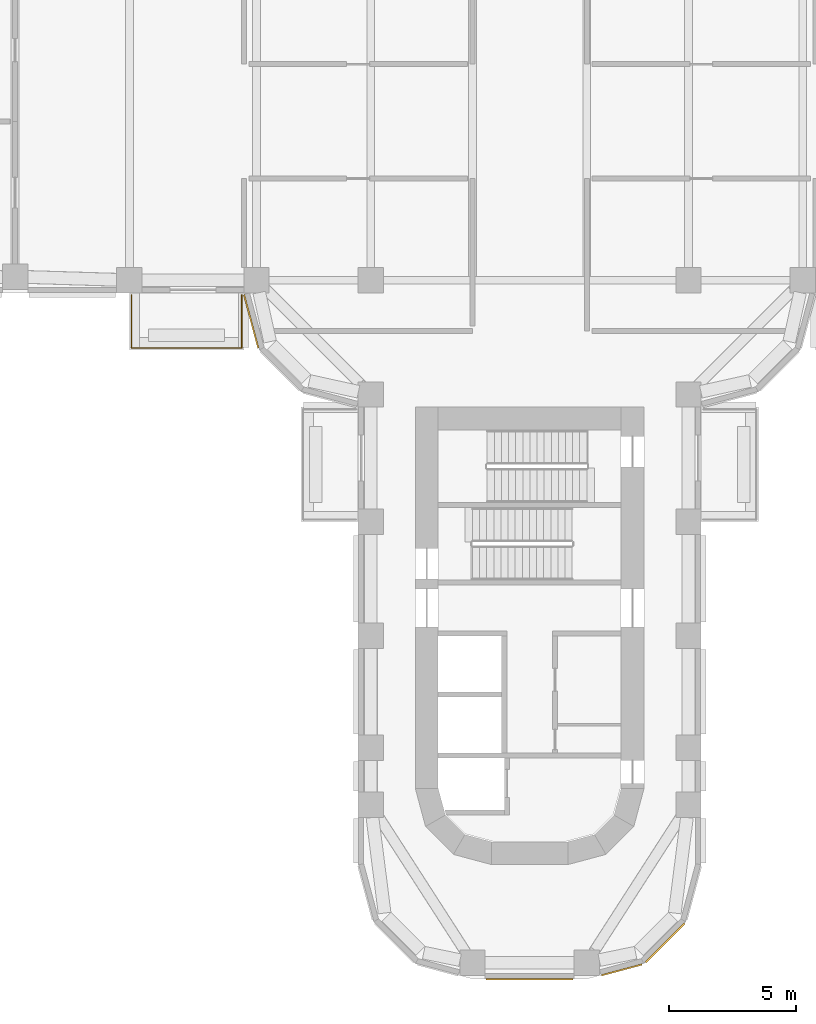
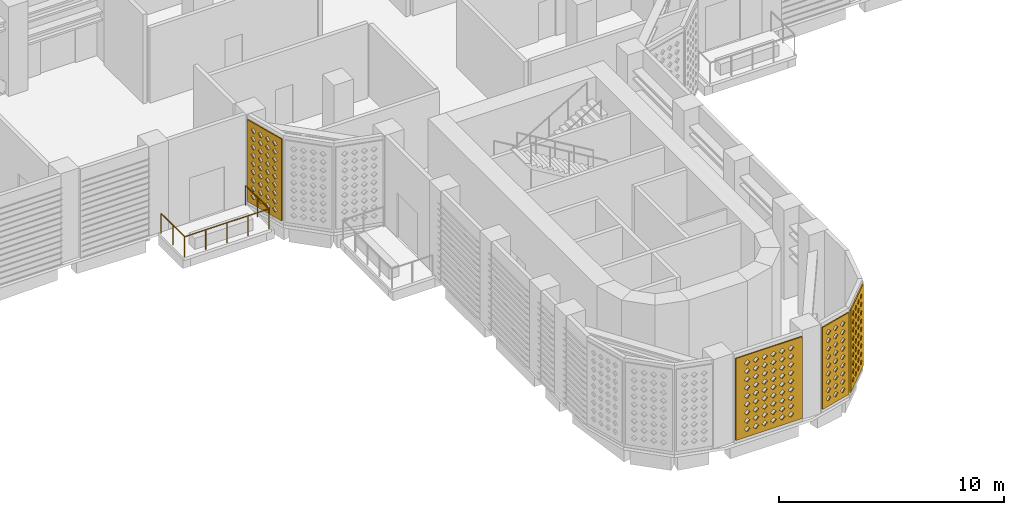
# One storey, part 11 of 20: 4 coverings, 1 railing.
"""IFC4 building model written with IfcOpenShell, lengths in metres."""

from ifc_helpers import new_model, si_unit, direction, frame, origin, origin_2d, place, context, subcontext, project, spatial, polyline, circle, outline, extrude, source, transform, mapped, material, layer, layer_set, type_object, element, save


model = new_model("IFC4")

# Units and contexts
model_context = context("Model", 3, precision=1e-05, world=origin(), true_north=direction((0.0, 1.0)))
body_context = subcontext(model_context, "Body", "Model", "MODEL_VIEW")
ifc_project = project(units=[si_unit("LENGTHUNIT", "METRE"), si_unit("AREAUNIT", "SQUARE_METRE"), si_unit("VOLUMEUNIT", "CUBIC_METRE"), si_unit("PLANEANGLEUNIT", "RADIAN"), si_unit("MASSUNIT", "GRAM", prefix="KILO")], contexts=[model_context])

# Site, building, storey
site_placement = place(None, origin())
site = spatial("IfcSite", under=ifc_project, at=site_placement, CompositionType="ELEMENT")
building_placement = place(site_placement, origin())
building = spatial("IfcBuilding", under=site, at=building_placement, Name="Zarbagh Exchange Tower", CompositionType="ELEMENT")
storey_placement = place(building_placement, frame((0.0, 0.0, 81.60009765625)))
storey = spatial("IfcBuildingStorey", under=building, at=storey_placement, Name="L18", CompositionType="ELEMENT", Elevation=81.60009765625)

# Railing
ifc_material_1 = material(Name="Stainless steel and laminated glass", Category="steel")
railing_type = type_object("IfcRailingType", Name="Terrace guard, glass balustrade 1.1 m", PredefinedType="GUARDRAIL", material=ifc_material_1)
railing_placement = place(storey_placement, frame((-11.330078125, -6.830078125, 0.0)))
element("IfcRailing", 1, at=railing_placement, inside=storey, type_object=railing_type, Name="TG01 terrace guard", PredefinedType="GUARDRAIL", context=body_context, shape_type="SweptSolid", body=[
    extrude(circle(Radius=0.02490234375, at=origin_2d()), frame((0.0, 0.0, 1.0751953125), z_axis=(0.0, -1.0, 0.0), x_axis=(1.0, 0.0, 0.0)), (0.0, 0.0, 1.0), 2.08984375),
    extrude(circle(Radius=0.02490234375, at=origin_2d()), frame((0.0, -2.08984375, 1.0751953125), z_axis=(-1.0, 0.0, 0.0), x_axis=(0.0, -1.0, 0.0)), (0.0, 0.0, 1.0), 4.33984375),
    extrude(circle(Radius=0.02490234375, at=origin_2d()), frame((-4.33984375, -2.08984375, 1.0751953125), z_axis=(0.0, 1.0, 0.0), x_axis=(-1.0, 0.0, 0.0)), (0.0, 0.0, 1.0), 2.08984375),
    extrude(circle(Radius=0.02490234375, at=origin_2d()), origin(), (0.0, 0.0, 1.0), 1.050048828125),
    extrude(circle(Radius=0.02490234375, at=origin_2d()), frame((0.0, -1.044921875, 0.0)), (0.0, 0.0, 1.0), 1.050048828125),
    extrude(circle(Radius=0.02490234375, at=origin_2d()), frame((0.0, -2.08984375, 0.0)), (0.0, 0.0, 1.0), 1.050048828125),
    extrude(circle(Radius=0.02490234375, at=origin_2d()), frame((-1.0849609375, -2.08984375, 0.0)), (0.0, 0.0, 1.0), 1.050048828125),
    extrude(circle(Radius=0.02490234375, at=origin_2d()), frame((-2.169921875, -2.08984375, 0.0)), (0.0, 0.0, 1.0), 1.050048828125),
    extrude(circle(Radius=0.02490234375, at=origin_2d()), frame((-3.2548828125, -2.08984375, 0.0)), (0.0, 0.0, 1.0), 1.050048828125),
    extrude(circle(Radius=0.02490234375, at=origin_2d()), frame((-4.33984375, -2.08984375, 0.0)), (0.0, 0.0, 1.0), 1.050048828125),
    extrude(circle(Radius=0.02490234375, at=origin_2d()), frame((-4.33984375, -1.044921875, 0.0)), (0.0, 0.0, 1.0), 1.050048828125),
    extrude(circle(Radius=0.02490234375, at=origin_2d()), frame((-4.33984375, 0.0, 0.0)), (0.0, 0.0, 1.0), 1.050048828125),
])

# Coverings
ifc_material_2 = material(Name="Glass-fibre reinforced concrete GFRC C50/60", Category="concrete")
ifc_layer = layer(ifc_material_2, 0.06005859375)
ifc_layer_set = layer_set([ifc_layer], Name="SCREEN jali panel, GFRC")
covering_type = type_object("IfcCoveringType", Name="SCREEN jali panel, GFRC", PredefinedType="CLADDING", material=ifc_layer_set)
shared_shape_1 = source(origin(), body_context, "Body", "SweptSolid", [
    extrude(outline(polyline([(0.0, 0.0), (1.656005859375, 0.0), (1.656005859375, 4.449951171875), (0.0, 4.449951171875), (0.0, 0.0)]), holes=[polyline([(0.22802734375, 0.425048828125), (0.3779296875, 0.27490234375), (0.528076171875, 0.425048828125), (0.3779296875, 0.574951171875), (0.22802734375, 0.425048828125)]), polyline([(0.22802734375, 0.875), (0.3779296875, 0.72509765625), (0.528076171875, 0.875), (0.3779296875, 1.02490234375), (0.22802734375, 0.875)]), polyline([(0.22802734375, 1.324951171875), (0.3779296875, 1.175048828125), (0.528076171875, 1.324951171875), (0.3779296875, 1.47509765625), (0.22802734375, 1.324951171875)]), polyline([(0.22802734375, 1.77490234375), (0.3779296875, 1.625), (0.528076171875, 1.77490234375), (0.3779296875, 1.925048828125), (0.22802734375, 1.77490234375)]), polyline([(0.22802734375, 2.22509765625), (0.3779296875, 2.074951171875), (0.528076171875, 2.22509765625), (0.3779296875, 2.375), (0.22802734375, 2.22509765625)]), polyline([(0.22802734375, 2.675048828125), (0.3779296875, 2.52490234375), (0.528076171875, 2.675048828125), (0.3779296875, 2.824951171875), (0.22802734375, 2.675048828125)]), polyline([(0.22802734375, 3.125), (0.3779296875, 2.97509765625), (0.528076171875, 3.125), (0.3779296875, 3.27490234375), (0.22802734375, 3.125)]), polyline([(0.22802734375, 3.574951171875), (0.3779296875, 3.425048828125), (0.528076171875, 3.574951171875), (0.3779296875, 3.72509765625), (0.22802734375, 3.574951171875)]), polyline([(0.22802734375, 4.02490234375), (0.3779296875, 3.875), (0.528076171875, 4.02490234375), (0.3779296875, 4.175048828125), (0.22802734375, 4.02490234375)]), polyline([(0.677978515625, 0.425048828125), (0.827880859375, 0.27490234375), (0.97802734375, 0.425048828125), (0.827880859375, 0.574951171875), (0.677978515625, 0.425048828125)]), polyline([(0.677978515625, 0.875), (0.827880859375, 0.72509765625), (0.97802734375, 0.875), (0.827880859375, 1.02490234375), (0.677978515625, 0.875)]), polyline([(0.677978515625, 1.324951171875), (0.827880859375, 1.175048828125), (0.97802734375, 1.324951171875), (0.827880859375, 1.47509765625), (0.677978515625, 1.324951171875)]), polyline([(0.677978515625, 1.77490234375), (0.827880859375, 1.625), (0.97802734375, 1.77490234375), (0.827880859375, 1.925048828125), (0.677978515625, 1.77490234375)]), polyline([(0.677978515625, 2.22509765625), (0.827880859375, 2.074951171875), (0.97802734375, 2.22509765625), (0.827880859375, 2.375), (0.677978515625, 2.22509765625)]), polyline([(0.677978515625, 2.675048828125), (0.827880859375, 2.52490234375), (0.97802734375, 2.675048828125), (0.827880859375, 2.824951171875), (0.677978515625, 2.675048828125)]), polyline([(0.677978515625, 3.125), (0.827880859375, 2.97509765625), (0.97802734375, 3.125), (0.827880859375, 3.27490234375), (0.677978515625, 3.125)]), polyline([(0.677978515625, 3.574951171875), (0.827880859375, 3.425048828125), (0.97802734375, 3.574951171875), (0.827880859375, 3.72509765625), (0.677978515625, 3.574951171875)]), polyline([(0.677978515625, 4.02490234375), (0.827880859375, 3.875), (0.97802734375, 4.02490234375), (0.827880859375, 4.175048828125), (0.677978515625, 4.02490234375)]), polyline([(1.1279296875, 0.425048828125), (1.278076171875, 0.27490234375), (1.427978515625, 0.425048828125), (1.278076171875, 0.574951171875), (1.1279296875, 0.425048828125)]), polyline([(1.1279296875, 0.875), (1.278076171875, 0.72509765625), (1.427978515625, 0.875), (1.278076171875, 1.02490234375), (1.1279296875, 0.875)]), polyline([(1.1279296875, 1.324951171875), (1.278076171875, 1.175048828125), (1.427978515625, 1.324951171875), (1.278076171875, 1.47509765625), (1.1279296875, 1.324951171875)]), polyline([(1.1279296875, 1.77490234375), (1.278076171875, 1.625), (1.427978515625, 1.77490234375), (1.278076171875, 1.925048828125), (1.1279296875, 1.77490234375)]), polyline([(1.1279296875, 2.22509765625), (1.278076171875, 2.074951171875), (1.427978515625, 2.22509765625), (1.278076171875, 2.375), (1.1279296875, 2.22509765625)]), polyline([(1.1279296875, 2.675048828125), (1.278076171875, 2.52490234375), (1.427978515625, 2.675048828125), (1.278076171875, 2.824951171875), (1.1279296875, 2.675048828125)]), polyline([(1.1279296875, 3.125), (1.278076171875, 2.97509765625), (1.427978515625, 3.125), (1.278076171875, 3.27490234375), (1.1279296875, 3.125)]), polyline([(1.1279296875, 3.574951171875), (1.278076171875, 3.425048828125), (1.427978515625, 3.574951171875), (1.278076171875, 3.72509765625), (1.1279296875, 3.574951171875)]), polyline([(1.1279296875, 4.02490234375), (1.278076171875, 3.875), (1.427978515625, 4.02490234375), (1.278076171875, 4.175048828125), (1.1279296875, 4.02490234375)])]), origin(), (0.0, 0.0, 1.0), 0.06005859375),
])
placement = place(storey_placement, origin())
element("IfcCovering", 2, at=placement, inside=storey, type_object=covering_type, Name="JS01 jali screen", PredefinedType="CLADDING", context=body_context, shape_type="MappedRepresentation", body=[
    mapped(shared_shape_1, transform((2.81591796875, -33.57763671875, 0.199951171875), x_axis=(0.965924215207, 0.258825057666, 0.0), y_axis=(0.0, 0.0, 1.0), z_axis=(0.258825057666, -0.965924215207, 0.0))),
])
shared_shape_2 = source(origin(), body_context, "Body", "SweptSolid", [
    extrude(outline(polyline([(0.0, 0.0), (2.1650390625, 0.0), (2.1650390625, 4.449951171875), (0.0, 4.449951171875), (0.0, 0.0)]), holes=[polyline([(0.257568359375, 0.425048828125), (0.407470703125, 0.27490234375), (0.5576171875, 0.425048828125), (0.407470703125, 0.574951171875), (0.257568359375, 0.425048828125)]), polyline([(0.257568359375, 0.875), (0.407470703125, 0.72509765625), (0.5576171875, 0.875), (0.407470703125, 1.02490234375), (0.257568359375, 0.875)]), polyline([(0.257568359375, 1.324951171875), (0.407470703125, 1.175048828125), (0.5576171875, 1.324951171875), (0.407470703125, 1.47509765625), (0.257568359375, 1.324951171875)]), polyline([(0.257568359375, 1.77490234375), (0.407470703125, 1.625), (0.5576171875, 1.77490234375), (0.407470703125, 1.925048828125), (0.257568359375, 1.77490234375)]), polyline([(0.257568359375, 2.22509765625), (0.407470703125, 2.074951171875), (0.5576171875, 2.22509765625), (0.407470703125, 2.375), (0.257568359375, 2.22509765625)]), polyline([(0.257568359375, 2.675048828125), (0.407470703125, 2.52490234375), (0.5576171875, 2.675048828125), (0.407470703125, 2.824951171875), (0.257568359375, 2.675048828125)]), polyline([(0.257568359375, 3.125), (0.407470703125, 2.97509765625), (0.5576171875, 3.125), (0.407470703125, 3.27490234375), (0.257568359375, 3.125)]), polyline([(0.257568359375, 3.574951171875), (0.407470703125, 3.425048828125), (0.5576171875, 3.574951171875), (0.407470703125, 3.72509765625), (0.257568359375, 3.574951171875)]), polyline([(0.257568359375, 4.02490234375), (0.407470703125, 3.875), (0.5576171875, 4.02490234375), (0.407470703125, 4.175048828125), (0.257568359375, 4.02490234375)]), polyline([(0.70751953125, 0.425048828125), (0.857421875, 0.27490234375), (1.007568359375, 0.425048828125), (0.857421875, 0.574951171875), (0.70751953125, 0.425048828125)]), polyline([(0.70751953125, 0.875), (0.857421875, 0.72509765625), (1.007568359375, 0.875), (0.857421875, 1.02490234375), (0.70751953125, 0.875)]), polyline([(0.70751953125, 1.324951171875), (0.857421875, 1.175048828125), (1.007568359375, 1.324951171875), (0.857421875, 1.47509765625), (0.70751953125, 1.324951171875)]), polyline([(0.70751953125, 1.77490234375), (0.857421875, 1.625), (1.007568359375, 1.77490234375), (0.857421875, 1.925048828125), (0.70751953125, 1.77490234375)]), polyline([(0.70751953125, 2.22509765625), (0.857421875, 2.074951171875), (1.007568359375, 2.22509765625), (0.857421875, 2.375), (0.70751953125, 2.22509765625)]), polyline([(0.70751953125, 2.675048828125), (0.857421875, 2.52490234375), (1.007568359375, 2.675048828125), (0.857421875, 2.824951171875), (0.70751953125, 2.675048828125)]), polyline([(0.70751953125, 3.125), (0.857421875, 2.97509765625), (1.007568359375, 3.125), (0.857421875, 3.27490234375), (0.70751953125, 3.125)]), polyline([(0.70751953125, 3.574951171875), (0.857421875, 3.425048828125), (1.007568359375, 3.574951171875), (0.857421875, 3.72509765625), (0.70751953125, 3.574951171875)]), polyline([(0.70751953125, 4.02490234375), (0.857421875, 3.875), (1.007568359375, 4.02490234375), (0.857421875, 4.175048828125), (0.70751953125, 4.02490234375)]), polyline([(1.157470703125, 0.425048828125), (1.3076171875, 0.27490234375), (1.45751953125, 0.425048828125), (1.3076171875, 0.574951171875), (1.157470703125, 0.425048828125)]), polyline([(1.157470703125, 0.875), (1.3076171875, 0.72509765625), (1.45751953125, 0.875), (1.3076171875, 1.02490234375), (1.157470703125, 0.875)]), polyline([(1.157470703125, 1.324951171875), (1.3076171875, 1.175048828125), (1.45751953125, 1.324951171875), (1.3076171875, 1.47509765625), (1.157470703125, 1.324951171875)]), polyline([(1.157470703125, 1.77490234375), (1.3076171875, 1.625), (1.45751953125, 1.77490234375), (1.3076171875, 1.925048828125), (1.157470703125, 1.77490234375)]), polyline([(1.157470703125, 2.22509765625), (1.3076171875, 2.074951171875), (1.45751953125, 2.22509765625), (1.3076171875, 2.375), (1.157470703125, 2.22509765625)]), polyline([(1.157470703125, 2.675048828125), (1.3076171875, 2.52490234375), (1.45751953125, 2.675048828125), (1.3076171875, 2.824951171875), (1.157470703125, 2.675048828125)]), polyline([(1.157470703125, 3.125), (1.3076171875, 2.97509765625), (1.45751953125, 3.125), (1.3076171875, 3.27490234375), (1.157470703125, 3.125)]), polyline([(1.157470703125, 3.574951171875), (1.3076171875, 3.425048828125), (1.45751953125, 3.574951171875), (1.3076171875, 3.72509765625), (1.157470703125, 3.574951171875)]), polyline([(1.157470703125, 4.02490234375), (1.3076171875, 3.875), (1.45751953125, 4.02490234375), (1.3076171875, 4.175048828125), (1.157470703125, 4.02490234375)]), polyline([(1.607421875, 0.425048828125), (1.757568359375, 0.27490234375), (1.907470703125, 0.425048828125), (1.757568359375, 0.574951171875), (1.607421875, 0.425048828125)]), polyline([(1.607421875, 0.875), (1.757568359375, 0.72509765625), (1.907470703125, 0.875), (1.757568359375, 1.02490234375), (1.607421875, 0.875)]), polyline([(1.607421875, 1.324951171875), (1.757568359375, 1.175048828125), (1.907470703125, 1.324951171875), (1.757568359375, 1.47509765625), (1.607421875, 1.324951171875)]), polyline([(1.607421875, 1.77490234375), (1.757568359375, 1.625), (1.907470703125, 1.77490234375), (1.757568359375, 1.925048828125), (1.607421875, 1.77490234375)]), polyline([(1.607421875, 2.22509765625), (1.757568359375, 2.074951171875), (1.907470703125, 2.22509765625), (1.757568359375, 2.375), (1.607421875, 2.22509765625)]), polyline([(1.607421875, 2.675048828125), (1.757568359375, 2.52490234375), (1.907470703125, 2.675048828125), (1.757568359375, 2.824951171875), (1.607421875, 2.675048828125)]), polyline([(1.607421875, 3.125), (1.757568359375, 2.97509765625), (1.907470703125, 3.125), (1.757568359375, 3.27490234375), (1.607421875, 3.125)]), polyline([(1.607421875, 3.574951171875), (1.757568359375, 3.425048828125), (1.907470703125, 3.574951171875), (1.757568359375, 3.72509765625), (1.607421875, 3.574951171875)]), polyline([(1.607421875, 4.02490234375), (1.757568359375, 3.875), (1.907470703125, 4.02490234375), (1.757568359375, 4.175048828125), (1.607421875, 4.02490234375)])]), origin(), (0.0, 0.0, 1.0), 0.06005859375),
])
element("IfcCovering", 3, at=placement, inside=storey, type_object=covering_type, Name="JS02 jali screen", PredefinedType="CLADDING", context=body_context, shape_type="MappedRepresentation", body=[
    mapped(shared_shape_2, transform((4.5439453125, -33.074951171875, 0.199951171875), x_axis=(0.707106781187, 0.707106781187, 0.0), y_axis=(0.0, 0.0, 1.0), z_axis=(0.707106781187, -0.707106781187, 0.0))),
])
shared_shape_3 = source(origin(), body_context, "Body", "SweptSolid", [
    extrude(outline(polyline([(0.0, 0.0), (2.173583984375, 0.0), (2.173583984375, 4.449951171875), (0.0, 4.449951171875), (0.0, 0.0)]), holes=[polyline([(0.261962890625, 0.425048828125), (0.411865234375, 0.27490234375), (0.561767578125, 0.425048828125), (0.411865234375, 0.574951171875), (0.261962890625, 0.425048828125)]), polyline([(0.261962890625, 0.875), (0.411865234375, 0.72509765625), (0.561767578125, 0.875), (0.411865234375, 1.02490234375), (0.261962890625, 0.875)]), polyline([(0.261962890625, 1.324951171875), (0.411865234375, 1.175048828125), (0.561767578125, 1.324951171875), (0.411865234375, 1.47509765625), (0.261962890625, 1.324951171875)]), polyline([(0.261962890625, 1.77490234375), (0.411865234375, 1.625), (0.561767578125, 1.77490234375), (0.411865234375, 1.925048828125), (0.261962890625, 1.77490234375)]), polyline([(0.261962890625, 2.22509765625), (0.411865234375, 2.074951171875), (0.561767578125, 2.22509765625), (0.411865234375, 2.375), (0.261962890625, 2.22509765625)]), polyline([(0.261962890625, 2.675048828125), (0.411865234375, 2.52490234375), (0.561767578125, 2.675048828125), (0.411865234375, 2.824951171875), (0.261962890625, 2.675048828125)]), polyline([(0.261962890625, 3.125), (0.411865234375, 2.97509765625), (0.561767578125, 3.125), (0.411865234375, 3.27490234375), (0.261962890625, 3.125)]), polyline([(0.261962890625, 3.574951171875), (0.411865234375, 3.425048828125), (0.561767578125, 3.574951171875), (0.411865234375, 3.72509765625), (0.261962890625, 3.574951171875)]), polyline([(0.261962890625, 4.02490234375), (0.411865234375, 3.875), (0.561767578125, 4.02490234375), (0.411865234375, 4.175048828125), (0.261962890625, 4.02490234375)]), polyline([(0.7119140625, 0.425048828125), (0.86181640625, 0.27490234375), (1.011962890625, 0.425048828125), (0.86181640625, 0.574951171875), (0.7119140625, 0.425048828125)]), polyline([(0.7119140625, 0.875), (0.86181640625, 0.72509765625), (1.011962890625, 0.875), (0.86181640625, 1.02490234375), (0.7119140625, 0.875)]), polyline([(0.7119140625, 1.324951171875), (0.86181640625, 1.175048828125), (1.011962890625, 1.324951171875), (0.86181640625, 1.47509765625), (0.7119140625, 1.324951171875)]), polyline([(0.7119140625, 1.77490234375), (0.86181640625, 1.625), (1.011962890625, 1.77490234375), (0.86181640625, 1.925048828125), (0.7119140625, 1.77490234375)]), polyline([(0.7119140625, 2.22509765625), (0.86181640625, 2.074951171875), (1.011962890625, 2.22509765625), (0.86181640625, 2.375), (0.7119140625, 2.22509765625)]), polyline([(0.7119140625, 2.675048828125), (0.86181640625, 2.52490234375), (1.011962890625, 2.675048828125), (0.86181640625, 2.824951171875), (0.7119140625, 2.675048828125)]), polyline([(0.7119140625, 3.125), (0.86181640625, 2.97509765625), (1.011962890625, 3.125), (0.86181640625, 3.27490234375), (0.7119140625, 3.125)]), polyline([(0.7119140625, 3.574951171875), (0.86181640625, 3.425048828125), (1.011962890625, 3.574951171875), (0.86181640625, 3.72509765625), (0.7119140625, 3.574951171875)]), polyline([(0.7119140625, 4.02490234375), (0.86181640625, 3.875), (1.011962890625, 4.02490234375), (0.86181640625, 4.175048828125), (0.7119140625, 4.02490234375)]), polyline([(1.161865234375, 0.425048828125), (1.311767578125, 0.27490234375), (1.4619140625, 0.425048828125), (1.311767578125, 0.574951171875), (1.161865234375, 0.425048828125)]), polyline([(1.161865234375, 0.875), (1.311767578125, 0.72509765625), (1.4619140625, 0.875), (1.311767578125, 1.02490234375), (1.161865234375, 0.875)]), polyline([(1.161865234375, 1.324951171875), (1.311767578125, 1.175048828125), (1.4619140625, 1.324951171875), (1.311767578125, 1.47509765625), (1.161865234375, 1.324951171875)]), polyline([(1.161865234375, 1.77490234375), (1.311767578125, 1.625), (1.4619140625, 1.77490234375), (1.311767578125, 1.925048828125), (1.161865234375, 1.77490234375)]), polyline([(1.161865234375, 2.22509765625), (1.311767578125, 2.074951171875), (1.4619140625, 2.22509765625), (1.311767578125, 2.375), (1.161865234375, 2.22509765625)]), polyline([(1.161865234375, 2.675048828125), (1.311767578125, 2.52490234375), (1.4619140625, 2.675048828125), (1.311767578125, 2.824951171875), (1.161865234375, 2.675048828125)]), polyline([(1.161865234375, 3.125), (1.311767578125, 2.97509765625), (1.4619140625, 3.125), (1.311767578125, 3.27490234375), (1.161865234375, 3.125)]), polyline([(1.161865234375, 3.574951171875), (1.311767578125, 3.425048828125), (1.4619140625, 3.574951171875), (1.311767578125, 3.72509765625), (1.161865234375, 3.574951171875)]), polyline([(1.161865234375, 4.02490234375), (1.311767578125, 3.875), (1.4619140625, 4.02490234375), (1.311767578125, 4.175048828125), (1.161865234375, 4.02490234375)]), polyline([(1.61181640625, 0.425048828125), (1.761962890625, 0.27490234375), (1.911865234375, 0.425048828125), (1.761962890625, 0.574951171875), (1.61181640625, 0.425048828125)]), polyline([(1.61181640625, 0.875), (1.761962890625, 0.72509765625), (1.911865234375, 0.875), (1.761962890625, 1.02490234375), (1.61181640625, 0.875)]), polyline([(1.61181640625, 1.324951171875), (1.761962890625, 1.175048828125), (1.911865234375, 1.324951171875), (1.761962890625, 1.47509765625), (1.61181640625, 1.324951171875)]), polyline([(1.61181640625, 1.77490234375), (1.761962890625, 1.625), (1.911865234375, 1.77490234375), (1.761962890625, 1.925048828125), (1.61181640625, 1.77490234375)]), polyline([(1.61181640625, 2.22509765625), (1.761962890625, 2.074951171875), (1.911865234375, 2.22509765625), (1.761962890625, 2.375), (1.61181640625, 2.22509765625)]), polyline([(1.61181640625, 2.675048828125), (1.761962890625, 2.52490234375), (1.911865234375, 2.675048828125), (1.761962890625, 2.824951171875), (1.61181640625, 2.675048828125)]), polyline([(1.61181640625, 3.125), (1.761962890625, 2.97509765625), (1.911865234375, 3.125), (1.761962890625, 3.27490234375), (1.61181640625, 3.125)]), polyline([(1.61181640625, 3.574951171875), (1.761962890625, 3.425048828125), (1.911865234375, 3.574951171875), (1.761962890625, 3.72509765625), (1.61181640625, 3.574951171875)]), polyline([(1.61181640625, 4.02490234375), (1.761962890625, 3.875), (1.911865234375, 4.02490234375), (1.761962890625, 4.175048828125), (1.61181640625, 4.02490234375)])]), origin(), (0.0, 0.0, 1.0), 0.06005859375),
])
element("IfcCovering", 4, at=placement, inside=storey, type_object=covering_type, Name="JS34 jali screen", PredefinedType="CLADDING", context=body_context, shape_type="MappedRepresentation", body=[
    mapped(shared_shape_3, transform((-11.211669921875, -6.81591796875, 0.199951171875), x_axis=(0.258825057666, -0.965924215207, 0.0), y_axis=(0.0, 0.0, 1.0), z_axis=(-0.965924215207, -0.258825057666, 0.0))),
])
shared_shape_4 = source(origin(), body_context, "Body", "SweptSolid", [
    extrude(outline(polyline([(0.0, 0.0), (3.419921875, 0.0), (3.419921875, 4.449951171875), (0.0, 4.449951171875), (0.0, 0.0)]), holes=[polyline([(0.43505859375, 0.425048828125), (0.5849609375, 0.27490234375), (0.735107421875, 0.425048828125), (0.5849609375, 0.574951171875), (0.43505859375, 0.425048828125)]), polyline([(0.43505859375, 0.875), (0.5849609375, 0.72509765625), (0.735107421875, 0.875), (0.5849609375, 1.02490234375), (0.43505859375, 0.875)]), polyline([(0.43505859375, 1.324951171875), (0.5849609375, 1.175048828125), (0.735107421875, 1.324951171875), (0.5849609375, 1.47509765625), (0.43505859375, 1.324951171875)]), polyline([(0.43505859375, 1.77490234375), (0.5849609375, 1.625), (0.735107421875, 1.77490234375), (0.5849609375, 1.925048828125), (0.43505859375, 1.77490234375)]), polyline([(0.43505859375, 2.22509765625), (0.5849609375, 2.074951171875), (0.735107421875, 2.22509765625), (0.5849609375, 2.375), (0.43505859375, 2.22509765625)]), polyline([(0.43505859375, 2.675048828125), (0.5849609375, 2.52490234375), (0.735107421875, 2.675048828125), (0.5849609375, 2.824951171875), (0.43505859375, 2.675048828125)]), polyline([(0.43505859375, 3.125), (0.5849609375, 2.97509765625), (0.735107421875, 3.125), (0.5849609375, 3.27490234375), (0.43505859375, 3.125)]), polyline([(0.43505859375, 3.574951171875), (0.5849609375, 3.425048828125), (0.735107421875, 3.574951171875), (0.5849609375, 3.72509765625), (0.43505859375, 3.574951171875)]), polyline([(0.43505859375, 4.02490234375), (0.5849609375, 3.875), (0.735107421875, 4.02490234375), (0.5849609375, 4.175048828125), (0.43505859375, 4.02490234375)]), polyline([(0.885009765625, 0.425048828125), (1.034912109375, 0.27490234375), (1.18505859375, 0.425048828125), (1.034912109375, 0.574951171875), (0.885009765625, 0.425048828125)]), polyline([(0.885009765625, 0.875), (1.034912109375, 0.72509765625), (1.18505859375, 0.875), (1.034912109375, 1.02490234375), (0.885009765625, 0.875)]), polyline([(0.885009765625, 1.324951171875), (1.034912109375, 1.175048828125), (1.18505859375, 1.324951171875), (1.034912109375, 1.47509765625), (0.885009765625, 1.324951171875)]), polyline([(0.885009765625, 1.77490234375), (1.034912109375, 1.625), (1.18505859375, 1.77490234375), (1.034912109375, 1.925048828125), (0.885009765625, 1.77490234375)]), polyline([(0.885009765625, 2.22509765625), (1.034912109375, 2.074951171875), (1.18505859375, 2.22509765625), (1.034912109375, 2.375), (0.885009765625, 2.22509765625)]), polyline([(0.885009765625, 2.675048828125), (1.034912109375, 2.52490234375), (1.18505859375, 2.675048828125), (1.034912109375, 2.824951171875), (0.885009765625, 2.675048828125)]), polyline([(0.885009765625, 3.125), (1.034912109375, 2.97509765625), (1.18505859375, 3.125), (1.034912109375, 3.27490234375), (0.885009765625, 3.125)]), polyline([(0.885009765625, 3.574951171875), (1.034912109375, 3.425048828125), (1.18505859375, 3.574951171875), (1.034912109375, 3.72509765625), (0.885009765625, 3.574951171875)]), polyline([(0.885009765625, 4.02490234375), (1.034912109375, 3.875), (1.18505859375, 4.02490234375), (1.034912109375, 4.175048828125), (0.885009765625, 4.02490234375)]), polyline([(1.3349609375, 0.425048828125), (1.485107421875, 0.27490234375), (1.635009765625, 0.425048828125), (1.485107421875, 0.574951171875), (1.3349609375, 0.425048828125)]), polyline([(1.3349609375, 0.875), (1.485107421875, 0.72509765625), (1.635009765625, 0.875), (1.485107421875, 1.02490234375), (1.3349609375, 0.875)]), polyline([(1.3349609375, 1.324951171875), (1.485107421875, 1.175048828125), (1.635009765625, 1.324951171875), (1.485107421875, 1.47509765625), (1.3349609375, 1.324951171875)]), polyline([(1.3349609375, 1.77490234375), (1.485107421875, 1.625), (1.635009765625, 1.77490234375), (1.485107421875, 1.925048828125), (1.3349609375, 1.77490234375)]), polyline([(1.3349609375, 2.22509765625), (1.485107421875, 2.074951171875), (1.635009765625, 2.22509765625), (1.485107421875, 2.375), (1.3349609375, 2.22509765625)]), polyline([(1.3349609375, 2.675048828125), (1.485107421875, 2.52490234375), (1.635009765625, 2.675048828125), (1.485107421875, 2.824951171875), (1.3349609375, 2.675048828125)]), polyline([(1.3349609375, 3.125), (1.485107421875, 2.97509765625), (1.635009765625, 3.125), (1.485107421875, 3.27490234375), (1.3349609375, 3.125)]), polyline([(1.3349609375, 3.574951171875), (1.485107421875, 3.425048828125), (1.635009765625, 3.574951171875), (1.485107421875, 3.72509765625), (1.3349609375, 3.574951171875)]), polyline([(1.3349609375, 4.02490234375), (1.485107421875, 3.875), (1.635009765625, 4.02490234375), (1.485107421875, 4.175048828125), (1.3349609375, 4.02490234375)]), polyline([(1.784912109375, 0.425048828125), (1.93505859375, 0.27490234375), (2.0849609375, 0.425048828125), (1.93505859375, 0.574951171875), (1.784912109375, 0.425048828125)]), polyline([(1.784912109375, 0.875), (1.93505859375, 0.72509765625), (2.0849609375, 0.875), (1.93505859375, 1.02490234375), (1.784912109375, 0.875)]), polyline([(1.784912109375, 1.324951171875), (1.93505859375, 1.175048828125), (2.0849609375, 1.324951171875), (1.93505859375, 1.47509765625), (1.784912109375, 1.324951171875)]), polyline([(1.784912109375, 1.77490234375), (1.93505859375, 1.625), (2.0849609375, 1.77490234375), (1.93505859375, 1.925048828125), (1.784912109375, 1.77490234375)]), polyline([(1.784912109375, 2.22509765625), (1.93505859375, 2.074951171875), (2.0849609375, 2.22509765625), (1.93505859375, 2.375), (1.784912109375, 2.22509765625)]), polyline([(1.784912109375, 2.675048828125), (1.93505859375, 2.52490234375), (2.0849609375, 2.675048828125), (1.93505859375, 2.824951171875), (1.784912109375, 2.675048828125)]), polyline([(1.784912109375, 3.125), (1.93505859375, 2.97509765625), (2.0849609375, 3.125), (1.93505859375, 3.27490234375), (1.784912109375, 3.125)]), polyline([(1.784912109375, 3.574951171875), (1.93505859375, 3.425048828125), (2.0849609375, 3.574951171875), (1.93505859375, 3.72509765625), (1.784912109375, 3.574951171875)]), polyline([(1.784912109375, 4.02490234375), (1.93505859375, 3.875), (2.0849609375, 4.02490234375), (1.93505859375, 4.175048828125), (1.784912109375, 4.02490234375)]), polyline([(2.235107421875, 0.425048828125), (2.385009765625, 0.27490234375), (2.534912109375, 0.425048828125), (2.385009765625, 0.574951171875), (2.235107421875, 0.425048828125)]), polyline([(2.235107421875, 0.875), (2.385009765625, 0.72509765625), (2.534912109375, 0.875), (2.385009765625, 1.02490234375), (2.235107421875, 0.875)]), polyline([(2.235107421875, 1.324951171875), (2.385009765625, 1.175048828125), (2.534912109375, 1.324951171875), (2.385009765625, 1.47509765625), (2.235107421875, 1.324951171875)]), polyline([(2.235107421875, 1.77490234375), (2.385009765625, 1.625), (2.534912109375, 1.77490234375), (2.385009765625, 1.925048828125), (2.235107421875, 1.77490234375)]), polyline([(2.235107421875, 2.22509765625), (2.385009765625, 2.074951171875), (2.534912109375, 2.22509765625), (2.385009765625, 2.375), (2.235107421875, 2.22509765625)]), polyline([(2.235107421875, 2.675048828125), (2.385009765625, 2.52490234375), (2.534912109375, 2.675048828125), (2.385009765625, 2.824951171875), (2.235107421875, 2.675048828125)]), polyline([(2.235107421875, 3.125), (2.385009765625, 2.97509765625), (2.534912109375, 3.125), (2.385009765625, 3.27490234375), (2.235107421875, 3.125)]), polyline([(2.235107421875, 3.574951171875), (2.385009765625, 3.425048828125), (2.534912109375, 3.574951171875), (2.385009765625, 3.72509765625), (2.235107421875, 3.574951171875)]), polyline([(2.235107421875, 4.02490234375), (2.385009765625, 3.875), (2.534912109375, 4.02490234375), (2.385009765625, 4.175048828125), (2.235107421875, 4.02490234375)]), polyline([(2.68505859375, 0.425048828125), (2.8349609375, 0.27490234375), (2.985107421875, 0.425048828125), (2.8349609375, 0.574951171875), (2.68505859375, 0.425048828125)]), polyline([(2.68505859375, 0.875), (2.8349609375, 0.72509765625), (2.985107421875, 0.875), (2.8349609375, 1.02490234375), (2.68505859375, 0.875)]), polyline([(2.68505859375, 1.324951171875), (2.8349609375, 1.175048828125), (2.985107421875, 1.324951171875), (2.8349609375, 1.47509765625), (2.68505859375, 1.324951171875)]), polyline([(2.68505859375, 1.77490234375), (2.8349609375, 1.625), (2.985107421875, 1.77490234375), (2.8349609375, 1.925048828125), (2.68505859375, 1.77490234375)]), polyline([(2.68505859375, 2.22509765625), (2.8349609375, 2.074951171875), (2.985107421875, 2.22509765625), (2.8349609375, 2.375), (2.68505859375, 2.22509765625)]), polyline([(2.68505859375, 2.675048828125), (2.8349609375, 2.52490234375), (2.985107421875, 2.675048828125), (2.8349609375, 2.824951171875), (2.68505859375, 2.675048828125)]), polyline([(2.68505859375, 3.125), (2.8349609375, 2.97509765625), (2.985107421875, 3.125), (2.8349609375, 3.27490234375), (2.68505859375, 3.125)]), polyline([(2.68505859375, 3.574951171875), (2.8349609375, 3.425048828125), (2.985107421875, 3.574951171875), (2.8349609375, 3.72509765625), (2.68505859375, 3.574951171875)]), polyline([(2.68505859375, 4.02490234375), (2.8349609375, 3.875), (2.985107421875, 4.02490234375), (2.8349609375, 4.175048828125), (2.68505859375, 4.02490234375)])]), origin(), (0.0, 0.0, 1.0), 0.06005859375),
])
element("IfcCovering", 5, at=placement, inside=storey, type_object=covering_type, Name="JS40 jali screen", PredefinedType="CLADDING", context=body_context, shape_type="MappedRepresentation", body=[
    mapped(shared_shape_4, transform((-1.7099609375, -33.72998046875, 0.199951171875), x_axis=(1.0, 0.0, 0.0), y_axis=(0.0, 0.0, 1.0), z_axis=(0.0, -1.0, 0.0))),
])

save(model, "model.ifc")
